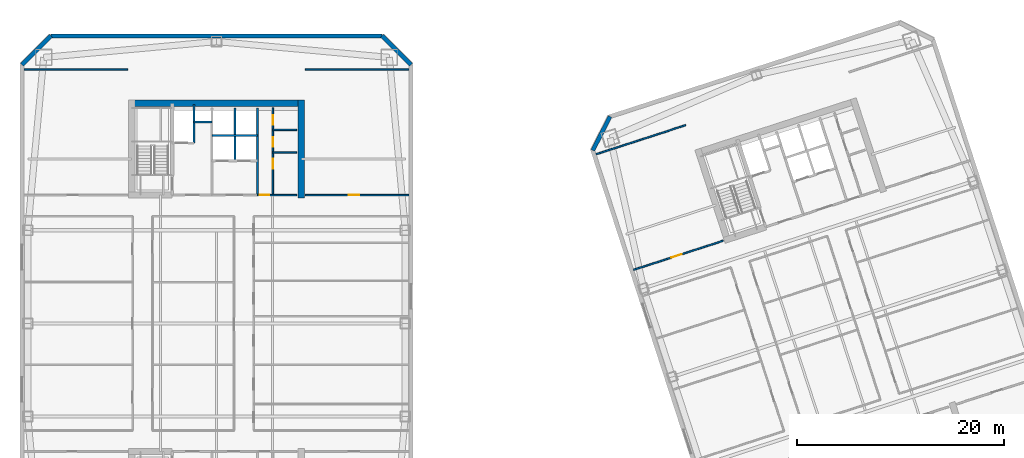
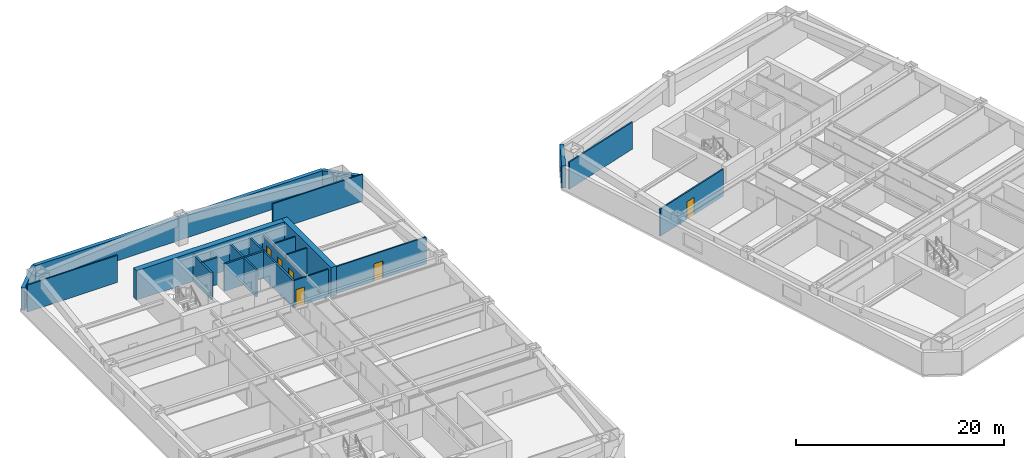
# One storey, part 5 of 11: 20 walls, 6 doors, 6 openings.
"""IFC4 building model written with IfcOpenShell, lengths in metres."""

from ifc_helpers import new_model, si_unit, direction, frame, frame_2d, origin, place, context, subcontext, project, spatial, rectangle, extrude, material, layer, layer_set, type_object, element, fill, save


model = new_model("IFC4")

# Units and contexts
model_context = context("Model", 3, precision=1e-05, world=origin(), true_north=direction((0.0, 1.0)))
body_context = subcontext(model_context, "Body", "Model", "MODEL_VIEW")
ifc_project = project(units=[si_unit("LENGTHUNIT", "METRE"), si_unit("AREAUNIT", "SQUARE_METRE"), si_unit("VOLUMEUNIT", "CUBIC_METRE"), si_unit("PLANEANGLEUNIT", "RADIAN"), si_unit("MASSUNIT", "GRAM", prefix="KILO")], contexts=[model_context])

# Site, building, storey
site_placement = place(None, origin())
site = spatial("IfcSite", under=ifc_project, at=site_placement, CompositionType="ELEMENT")
building_placement = place(site_placement, origin())
building = spatial("IfcBuilding", under=site, at=building_placement, Name="Qiaolan Cultural Towers", CompositionType="ELEMENT")
storey_placement = place(building_placement, frame((0.0, 0.0, 117.300048828125)))
storey = spatial("IfcBuildingStorey", under=building, at=storey_placement, Name="L30", CompositionType="ELEMENT", Elevation=117.300048828125)

# Walls
ifc_material_1 = material(Name="Concrete C55", Category="concrete")
ifc_layer_1 = layer(ifc_material_1, 0.60009765625)
ifc_layer_set_1 = layer_set([ifc_layer_1], Name="Concrete C55")
wall_type_1 = type_object("IfcWallType", Name="WL-CORE-600", PredefinedType="SHEAR", material=ifc_layer_set_1)
wall_1_placement = place(storey_placement, frame((21.5, 55.280029296875, 0.0), z_axis=(0.0, 0.0, 1.0), x_axis=(1.0, 0.0, 0.0)))
element("IfcWall", 1, at=wall_1_placement, inside=storey, type_object=wall_type_1, Name="L30 T1-CN Outer Core Shear Wall", PredefinedType="SHEAR", context=body_context, shape_type="SweptSolid", body=[
    extrude(rectangle(XDim=17.0, YDim=0.60009765625, at=frame_2d((8.5, 0.0))), origin(), (0.0, 0.0, 1.0), 3.449951171875),
])
wall_2_placement = place(storey_placement, frame((38.199951171875, 46.10009765625, 0.0), z_axis=(0.0, 0.0, 1.0), x_axis=(0.0, 1.0, 0.0)))
element("IfcWall", 2, at=wall_2_placement, inside=storey, type_object=wall_type_1, Name="L30 T1-CN East Core Shear Wall", PredefinedType="SHEAR", context=body_context, shape_type="SweptSolid", body=[
    extrude(rectangle(XDim=9.47998046875, YDim=0.60009765625, at=frame_2d((4.739990234375, 0.0))), origin(), (0.0, 0.0, 1.0), 3.449951171875),
])
ifc_material_2 = material(Name="Precast Concrete C50 Honed Stone Pier", Category="masonry")
ifc_layer_2 = layer(ifc_material_2, 0.39990234375)
ifc_layer_set_2 = layer_set([ifc_layer_2], Name="Precast Concrete C50 Honed Stone Pier")
wall_type_2 = type_object("IfcWallType", Name="WL-EXT-PIER-400", PredefinedType="SOLIDWALL", material=ifc_layer_set_2)
wall_3_placement = place(storey_placement, frame((11.199951171875, 59.0, 0.0), z_axis=(0.0, 0.0, 1.0), x_axis=(0.707106781187, 0.707106781187, 0.0)))
element("IfcWall", 3, at=wall_3_placement, inside=storey, type_object=wall_type_2, Name="L30 West Tower Precast Pier Facade Wall F2", PredefinedType="SOLIDWALL", context=body_context, shape_type="SweptSolid", body=[
    extrude(rectangle(XDim=3.9599609375, YDim=0.39990234375, at=frame_2d((1.97998046875, 0.0))), origin(), (0.0, 0.0, 1.0), 2.60986328125),
])
wall_4_placement = place(storey_placement, frame((14.0, 61.800048828125, 0.0), z_axis=(0.0, 0.0, 1.0), x_axis=(1.0, 0.0, 0.0)))
element("IfcWall", 4, at=wall_4_placement, inside=storey, type_object=wall_type_2, Name="L30 West Tower Precast Pier Facade Wall F3", PredefinedType="SOLIDWALL", context=body_context, shape_type="SweptSolid", body=[
    extrude(rectangle(XDim=32.0, YDim=0.39990234375, at=frame_2d((16.0, 0.0))), origin(), (0.0, 0.0, 1.0), 2.60986328125),
])
wall_5_placement = place(storey_placement, frame((46.0, 61.800048828125, 0.0), z_axis=(0.0, 0.0, 1.0), x_axis=(0.707106781187, -0.707106781187, 0.0)))
element("IfcWall", 5, at=wall_5_placement, inside=storey, type_object=wall_type_2, Name="L30 West Tower Precast Pier Facade Wall F4", PredefinedType="SOLIDWALL", context=body_context, shape_type="SweptSolid", body=[
    extrude(rectangle(XDim=3.9599609375, YDim=0.39990234375, at=frame_2d((1.97998046875, 0.0))), origin(), (0.0, 0.0, 1.0), 2.60986328125),
])
wall_6_placement = place(storey_placement, frame((66.37744140625, 50.718505859375, 0.0), z_axis=(0.0, 0.0, 1.0), x_axis=(0.454026238093, 0.890988313685, 0.0)))
element("IfcWall", 6, at=wall_6_placement, inside=storey, type_object=wall_type_2, Name="L30 East Tower Precast Pier Facade Wall F2", PredefinedType="SOLIDWALL", context=body_context, shape_type="SweptSolid", body=[
    extrude(rectangle(XDim=3.677001953125, YDim=0.39990234375, at=frame_2d((1.83837890625, 0.0))), origin(), (0.0, 0.0, 1.0), 2.60986328125),
])
ifc_material_3 = material(Name="Concrete C35 Fire Wall", Category="concrete")
ifc_layer_3 = layer(ifc_material_3, 0.199951171875)
ifc_layer_set_3 = layer_set([ifc_layer_3], Name="Concrete C35 Fire Wall")
wall_type_3 = type_object("IfcWallType", Name="WL-FIRE-200", PredefinedType="PARTITIONING", material=ifc_layer_set_3)
wall_7_placement = place(storey_placement, frame((27.820068359375, 51.449951171875, 0.0), z_axis=(0.0, 0.0, 1.0), x_axis=(0.0, 1.0, 0.0)))
element("IfcWall", 7, at=wall_7_placement, inside=storey, type_object=wall_type_3, Name="L30 T1-CN Firefighting Hoistway East Wall", PredefinedType="PARTITIONING", context=body_context, shape_type="SweptSolid", body=[
    extrude(rectangle(XDim=3.699951171875, YDim=0.199951171875, at=frame_2d((1.85009765625, 0.0))), origin(), (0.0, 0.0, 1.0), 3.175048828125),
])
wall_8_placement = place(storey_placement, frame((27.820068359375, 53.47998046875, 0.0), z_axis=(0.0, 0.0, 1.0), x_axis=(1.0, 0.0, 0.0)))
element("IfcWall", 8, at=wall_8_placement, inside=storey, type_object=wall_type_3, Name="L30 T1-CN Pressurization Shaft Front Wall", PredefinedType="PARTITIONING", context=body_context, shape_type="SweptSolid", body=[
    extrude(rectangle(XDim=1.72998046875, YDim=0.199951171875, at=frame_2d((0.864990234375, 0.0))), origin(), (0.0, 0.0, 1.0), 3.175048828125),
])
wall_9_placement = place(storey_placement, frame((33.949951171875, 46.39990234375, 0.0), z_axis=(0.0, 0.0, 1.0), x_axis=(0.0, 1.0, 0.0)))
element("IfcWall", 9, at=wall_9_placement, inside=storey, type_object=wall_type_3, Name="L30 T1-CN Lift Core East Wall", PredefinedType="PARTITIONING", context=body_context, shape_type="SweptSolid", body=[
    extrude(rectangle(XDim=8.43017578125, YDim=0.199951171875, at=frame_2d((4.215087890625, 0.0))), origin(), (0.0, 0.0, 1.0), 3.175048828125),
])
wall_10_placement = place(storey_placement, frame((31.780029296875, 49.719970703125, 0.0), z_axis=(0.0, 0.0, 1.0), x_axis=(0.0, 1.0, 0.0)))
element("IfcWall", 10, at=wall_10_placement, inside=storey, type_object=wall_type_3, Name="L30 T1-CN Lift Shaft Divider Wall", PredefinedType="PARTITIONING", context=body_context, shape_type="SweptSolid", body=[
    extrude(rectangle(XDim=5.110107421875, YDim=0.199951171875, at=frame_2d((2.55517578125, 0.0))), origin(), (0.0, 0.0, 1.0), 3.175048828125),
])
wall_11_placement = place(storey_placement, frame((29.550048828125, 52.14990234375, 0.0), z_axis=(0.0, 0.0, 1.0), x_axis=(1.0, 0.0, 0.0)))
element("IfcWall", 11, at=wall_11_placement, inside=storey, type_object=wall_type_3, Name="L30 T1-CN Passenger Lift Shaft Back Wall", PredefinedType="PARTITIONING", context=body_context, shape_type="SweptSolid", body=[
    extrude(rectangle(XDim=4.39990234375, YDim=0.199951171875, at=frame_2d((2.199951171875, 0.0))), origin(), (0.0, 0.0, 1.0), 3.175048828125),
])

# Wall, opening, door
ifc_material_4 = material(Name="Autoclaved Aerated Concrete Block B06", Category="concrete")
ifc_layer_4 = layer(ifc_material_4, 0.14990234375)
ifc_layer_set_4 = layer_set([ifc_layer_4], Name="Autoclaved Aerated Concrete Block B06")
wall_type_4 = type_object("IfcWallType", Name="WL-PART-150", PredefinedType="PARTITIONING", material=ifc_layer_set_4)
wall_12_placement = place(storey_placement, frame((33.949951171875, 46.39990234375, 0.0), z_axis=(0.0, 0.0, 1.0), x_axis=(1.0, 0.0, 0.0)))
wall_12 = element("IfcWall", 12, at=wall_12_placement, inside=storey, type_object=wall_type_4, Name="L30 T1-CN Sanitary Core Front Wall", PredefinedType="PARTITIONING", context=body_context, shape_type="SweptSolid", body=[
    extrude(rectangle(XDim=3.800048828125, YDim=0.14990234375, at=frame_2d((1.89990234375, 0.0))), origin(), (0.0, 0.0, 1.0), 3.175048828125),
])
opening_1_placement = place(wall_12_placement, frame((0.219970703125, 0.0, 0.0)))
opening_1 = element("IfcOpeningElement", 13, at=opening_1_placement, cuts=wall_12, Name="Opening ID-05", PredefinedType="OPENING", context=body_context, shape_type="SweptSolid", body=[
    extrude(rectangle(XDim=0.949951171875, YDim=2.050048828125, at=frame_2d((0.47509765625, 1.02490234375))), frame((0.0, 0.0849609375, 0.0), z_axis=(0.0, -1.0, 0.0), x_axis=(1.0, 0.0, 0.0)), (0.0, 0.0, 1.0), 0.169921875),
])
ifc_material_5 = material(Name="Fire-Rated Laminate Accessible Core Door", Category="timber")
door_type_1 = type_object("IfcDoorType", Name="DR-INT-950", OperationType="NOTDEFINED", PredefinedType="DOOR", material=ifc_material_5)
door_1_placement = place(opening_1_placement, origin())
door_1 = element("IfcDoor", 14, at=door_1_placement, inside=storey, type_object=door_type_1, Name="L30 Sanitary Vestibule Door", OperationType="SINGLE_SWING_LEFT", OverallHeight=2.050048828125, OverallWidth=0.949951171875, PredefinedType="DOOR", context=body_context, shape_type="SweptSolid", body=[
    extrude(rectangle(XDim=0.949951171875, YDim=2.050048828125, at=frame_2d((0.47509765625, 1.02490234375))), frame((0.0, 0.02490234375, 0.0), z_axis=(0.0, -1.0, 0.0), x_axis=(1.0, 0.0, 0.0)), (0.0, 0.0, 1.0), 0.050048828125),
])
fill(opening_1, door_1)

# Wall, openings, doors
wall_13_placement = place(storey_placement, frame((35.449951171875, 46.39990234375, 0.0), z_axis=(0.0, 0.0, 1.0), x_axis=(0.0, 1.0, 0.0)))
wall_13 = element("IfcWall", 15, at=wall_13_placement, inside=storey, type_object=wall_type_4, Name="L30 T1-CN Sanitary Vestibule Wall", PredefinedType="PARTITIONING", context=body_context, shape_type="SweptSolid", body=[
    extrude(rectangle(XDim=8.43017578125, YDim=0.14990234375, at=frame_2d((4.215087890625, 0.0))), origin(), (0.0, 0.0, 1.0), 2.764892578125),
])
opening_2_placement = place(wall_13_placement, frame((2.550048828125, 0.0, 0.0)))
opening_2 = element("IfcOpeningElement", 16, at=opening_2_placement, cuts=wall_13, Name="Opening ID-05", PredefinedType="OPENING", context=body_context, shape_type="SweptSolid", body=[
    extrude(rectangle(XDim=0.949951171875, YDim=2.050048828125, at=frame_2d((0.47509765625, 1.02490234375))), frame((0.0, 0.0849609375, 0.0), z_axis=(0.0, -1.0, 0.0), x_axis=(1.0, 0.0, 0.0)), (0.0, 0.0, 1.0), 0.169921875),
])
opening_3_placement = place(wall_13_placement, frame((4.699951171875, 0.0, 0.0)))
opening_3 = element("IfcOpeningElement", 17, at=opening_3_placement, cuts=wall_13, Name="Opening ID-06", PredefinedType="OPENING", context=body_context, shape_type="SweptSolid", body=[
    extrude(rectangle(XDim=0.89990234375, YDim=2.050048828125, at=frame_2d((0.449951171875, 1.02490234375))), frame((0.0, 0.0849609375, 0.0), z_axis=(0.0, -1.0, 0.0), x_axis=(1.0, 0.0, 0.0)), (0.0, 0.0, 1.0), 0.169921875),
])
opening_4_placement = place(wall_13_placement, frame((6.800048828125, 0.0, 0.0)))
opening_4 = element("IfcOpeningElement", 18, at=opening_4_placement, cuts=wall_13, Name="Opening ID-06", PredefinedType="OPENING", context=body_context, shape_type="SweptSolid", body=[
    extrude(rectangle(XDim=0.89990234375, YDim=2.050048828125, at=frame_2d((0.449951171875, 1.02490234375))), frame((0.0, 0.0849609375, 0.0), z_axis=(0.0, -1.0, 0.0), x_axis=(1.0, 0.0, 0.0)), (0.0, 0.0, 1.0), 0.169921875),
])
ifc_material_6 = material(Name="Fire-Rated Laminate Core Service Door", Category="timber")
door_type_2 = type_object("IfcDoorType", Name="DR-INT-900", OperationType="NOTDEFINED", PredefinedType="DOOR", material=ifc_material_6)
door_2_placement = place(opening_3_placement, origin())
door_2 = element("IfcDoor", 19, at=door_2_placement, inside=storey, type_object=door_type_2, Name="L30 Men Washroom Door", OperationType="SINGLE_SWING_LEFT", OverallHeight=2.050048828125, OverallWidth=0.89990234375, PredefinedType="DOOR", context=body_context, shape_type="SweptSolid", body=[
    extrude(rectangle(XDim=0.89990234375, YDim=2.050048828125, at=frame_2d((0.449951171875, 1.02490234375))), frame((0.0, 0.02490234375, 0.0), z_axis=(0.0, -1.0, 0.0), x_axis=(1.0, 0.0, 0.0)), (0.0, 0.0, 1.0), 0.050048828125),
])
fill(opening_3, door_2)
door_3_placement = place(opening_4_placement, origin())
door_3 = element("IfcDoor", 20, at=door_3_placement, inside=storey, type_object=door_type_2, Name="L30 Women Washroom Door", OperationType="SINGLE_SWING_RIGHT", OverallHeight=2.050048828125, OverallWidth=0.89990234375, PredefinedType="DOOR", context=body_context, shape_type="SweptSolid", body=[
    extrude(rectangle(XDim=0.89990234375, YDim=2.050048828125, at=frame_2d((0.449951171875, 1.02490234375))), frame((0.0, 0.02490234375, 0.0), z_axis=(0.0, -1.0, 0.0), x_axis=(1.0, 0.0, 0.0)), (0.0, 0.0, 1.0), 0.050048828125),
])
fill(opening_4, door_3)
door_4_placement = place(opening_2_placement, origin())
door_4 = element("IfcDoor", 21, at=door_4_placement, inside=storey, type_object=door_type_1, Name="L30 Accessible Family Washroom Door", OperationType="SINGLE_SWING_LEFT", OverallHeight=2.050048828125, OverallWidth=0.949951171875, PredefinedType="DOOR", context=body_context, shape_type="SweptSolid", body=[
    extrude(rectangle(XDim=0.949951171875, YDim=2.050048828125, at=frame_2d((0.47509765625, 1.02490234375))), frame((0.0, 0.02490234375, 0.0), z_axis=(0.0, -1.0, 0.0), x_axis=(1.0, 0.0, 0.0)), (0.0, 0.0, 1.0), 0.050048828125),
])
fill(opening_2, door_4)

# Walls
for number, where, z_axis, x_axis, name in (
    (22, (35.449951171875, 50.5, 0.0), (0.0, 0.0, 1.0), (1.0, 0.0, 0.0), "L30 T1-CN Restroom Split Wall 1"),
    (23, (35.449951171875, 52.699951171875, 0.0), (0.0, 0.0, 1.0), (1.0, 0.0, 0.0), "L30 T1-CN Restroom Split Wall 2"),
):
    element("IfcWall", number, at=place(storey_placement, frame(where, z_axis=z_axis, x_axis=x_axis)), inside=storey, type_object=wall_type_4, Name=name, PredefinedType="PARTITIONING", context=body_context, shape_type="SweptSolid", body=[
        extrude(rectangle(XDim=2.300048828125, YDim=0.14990234375, at=frame_2d((1.14990234375, 0.0))), origin(), (0.0, 0.0, 1.0), 3.175048828125),
    ])
for number, where, z_axis, x_axis, name in (
    (24, (11.39990234375, 58.550048828125, 0.0), (0.0, 0.0, 1.0), (1.0, 0.0, 0.0), "L30 T1 Flank Wall FLK-NW"),
    (25, (38.60009765625, 58.550048828125, 0.0), (0.0, 0.0, 1.0), (1.0, 0.0, 0.0), "L30 T1 Flank Wall FLK-NE"),
):
    element("IfcWall", number, at=place(storey_placement, frame(where, z_axis=z_axis, x_axis=x_axis)), inside=storey, type_object=wall_type_4, Name=name, PredefinedType="PARTITIONING", context=body_context, shape_type="SweptSolid", body=[
        extrude(rectangle(XDim=10.0, YDim=0.14990234375, at=frame_2d((5.0, 0.0))), origin(), (0.0, 0.0, 1.0), 3.175048828125),
    ])

# Wall, opening, door
wall_14_placement = place(storey_placement, frame((38.60009765625, 46.39990234375, 0.0), z_axis=(0.0, 0.0, 1.0), x_axis=(1.0, 0.0, 0.0)))
wall_14 = element("IfcWall", 26, at=wall_14_placement, inside=storey, type_object=wall_type_4, Name="L30 T1 Flank Front FLK-NE", PredefinedType="PARTITIONING", context=body_context, shape_type="SweptSolid", body=[
    extrude(rectangle(XDim=10.0, YDim=0.14990234375, at=frame_2d((5.0, 0.0))), origin(), (0.0, 0.0, 1.0), 3.175048828125),
])
opening_5_placement = place(wall_14_placement, frame((4.199951171875, 0.0, 0.0)))
opening_5 = element("IfcOpeningElement", 27, at=opening_5_placement, cuts=wall_14, Name="Opening ID-04", PredefinedType="OPENING", context=body_context, shape_type="SweptSolid", body=[
    extrude(rectangle(XDim=1.0, YDim=2.050048828125, at=frame_2d((0.5, 1.02490234375))), frame((0.0, 0.0849609375, 0.0), z_axis=(0.0, -1.0, 0.0), x_axis=(1.0, 0.0, 0.0)), (0.0, 0.0, 1.0), 0.169921875),
])
ifc_material_7 = material(Name="Oak Veneer Acoustic Office Door", Category="timber")
door_type_3 = type_object("IfcDoorType", Name="DR-INT-1000", OperationType="NOTDEFINED", PredefinedType="DOOR", material=ifc_material_7)
door_5_placement = place(opening_5_placement, origin())
door_5 = element("IfcDoor", 28, at=door_5_placement, inside=storey, type_object=door_type_3, Name="L30 T1 Corner Studio Door", OperationType="SINGLE_SWING_LEFT", OverallHeight=2.050048828125, OverallWidth=1.0, PredefinedType="DOOR", context=body_context, shape_type="SweptSolid", body=[
    extrude(rectangle(XDim=1.0, YDim=2.050048828125, at=frame_2d((0.5, 1.02490234375))), frame((0.0, 0.02490234375, 0.0), z_axis=(0.0, -1.0, 0.0), x_axis=(1.0, 0.0, 0.0)), (0.0, 0.0, 1.0), 0.050048828125),
])
fill(opening_5, door_5)

# Wall
wall_15_placement = place(storey_placement, frame((66.706787109375, 50.352294921875, 0.0), z_axis=(0.0, 0.0, 1.0), x_axis=(0.951057133767, 0.309015093986, 0.0)))
element("IfcWall", 29, at=wall_15_placement, inside=storey, type_object=wall_type_4, Name="L30 T2 Flank Wall FLK-NW", PredefinedType="PARTITIONING", context=body_context, shape_type="SweptSolid", body=[
    extrude(rectangle(XDim=9.099853515625, YDim=0.14990234375, at=frame_2d((4.5498046875, 0.0))), origin(), (0.0, 0.0, 1.0), 3.175048828125),
])

# Wall, opening, door
wall_16_placement = place(storey_placement, frame((70.337646484375, 39.177490234375, 0.0), z_axis=(0.0, 0.0, 1.0), x_axis=(0.951059695568, 0.309007209409, 0.0)))
wall_16 = element("IfcWall", 30, at=wall_16_placement, inside=storey, type_object=wall_type_4, Name="L30 T2 Flank Front FLK-NW", PredefinedType="PARTITIONING", context=body_context, shape_type="SweptSolid", body=[
    extrude(rectangle(XDim=9.10009765625, YDim=0.14990234375, at=frame_2d((4.550048828125, 0.0))), origin(), (0.0, 0.0, 1.0), 3.175048828125),
])
opening_6_placement = place(wall_16_placement, frame((3.822021484375, 0.0, 0.0)))
opening_6 = element("IfcOpeningElement", 31, at=opening_6_placement, cuts=wall_16, Name="Opening ID-07", PredefinedType="OPENING", context=body_context, shape_type="SweptSolid", body=[
    extrude(rectangle(XDim=1.050048828125, YDim=2.050048828125, at=frame_2d((0.52490234375, 1.02490234375))), frame((0.0, 0.0849609375, 0.0), z_axis=(0.0, -1.0, 0.0), x_axis=(1.0, 0.0, 0.0)), (0.0, 0.0, 1.0), 0.169921875),
])
ifc_material_8 = material(Name="Oak Veneer Consultation Door", Category="timber")
door_type_4 = type_object("IfcDoorType", Name="DR-INT-1050", OperationType="NOTDEFINED", PredefinedType="DOOR", material=ifc_material_8)
door_6_placement = place(opening_6_placement, origin())
door_6 = element("IfcDoor", 32, at=door_6_placement, inside=storey, type_object=door_type_4, Name="L30 T2 Corner Studio Door", OperationType="SINGLE_SWING_LEFT", OverallHeight=2.050048828125, OverallWidth=1.050048828125, PredefinedType="DOOR", context=body_context, shape_type="SweptSolid", body=[
    extrude(rectangle(XDim=1.050048828125, YDim=2.050048828125, at=frame_2d((0.52490234375, 1.02490234375))), frame((0.0, 0.02490234375, 0.0), z_axis=(0.0, -1.0, 0.0), x_axis=(1.0, 0.0, 0.0)), (0.0, 0.0, 1.0), 0.050048828125),
])
fill(opening_6, door_6)

save(model, "model.ifc")
